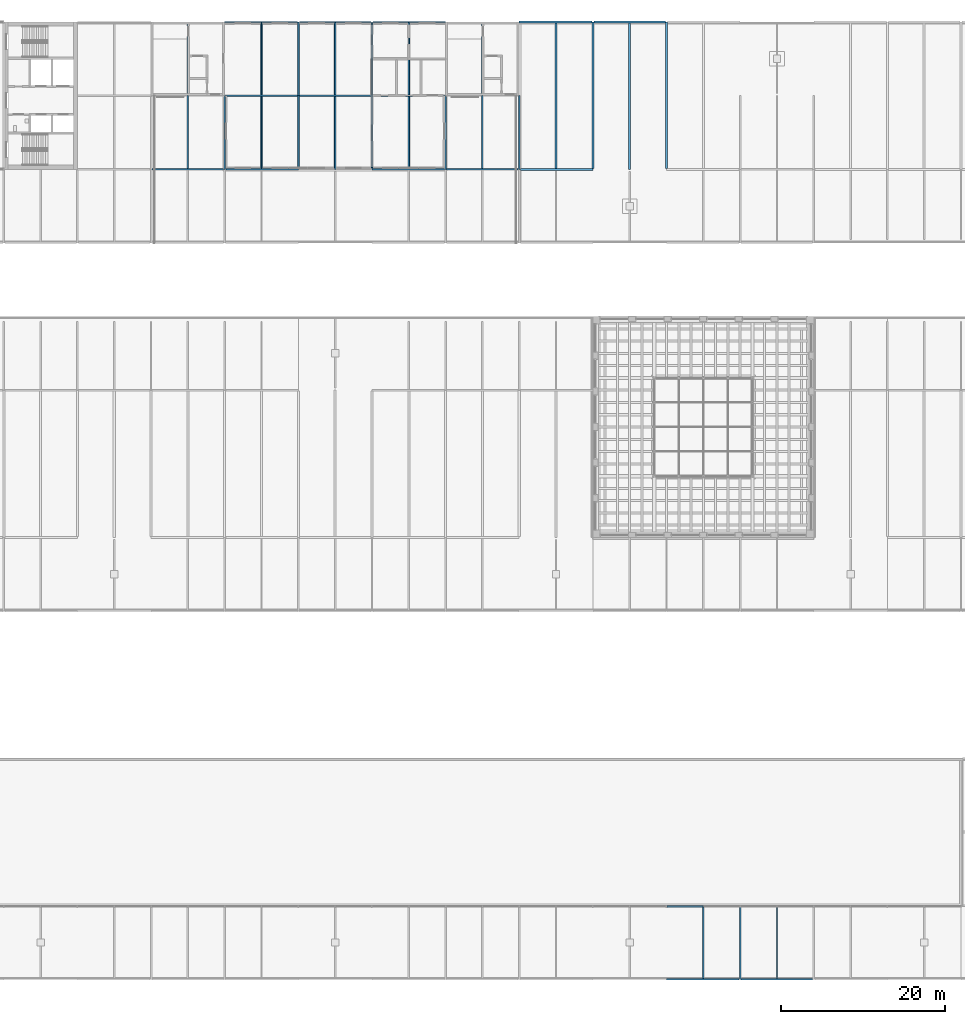
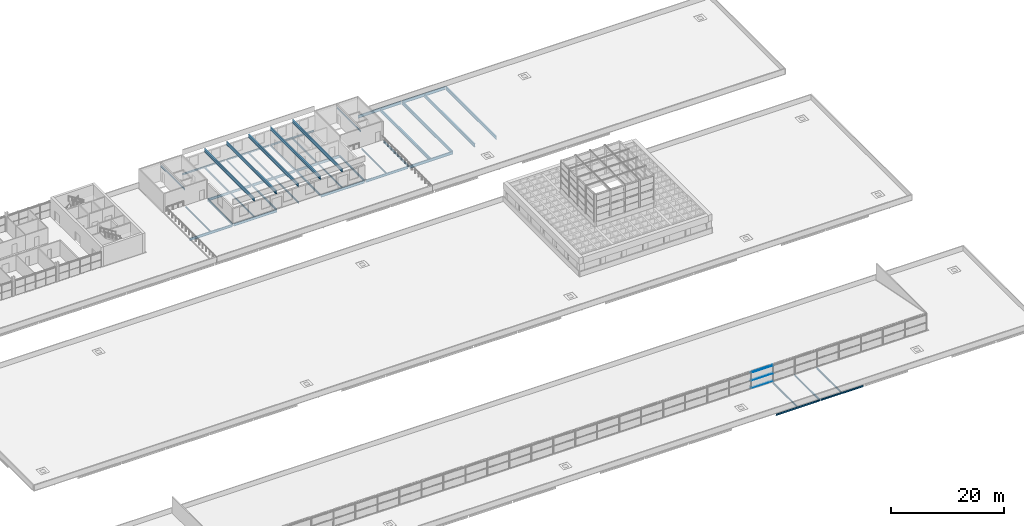
# One storey, part 24 of 50: 44 beams, 3 members, 1 element without a shape of its own.
"""IFC4 building model written with IfcOpenShell, lengths in metres."""

from ifc_helpers import new_model, si_unit, direction, frame, origin, origin_2d, place, context, subcontext, project, spatial, rectangle, i_section, extrude, material, layer, layer_set, material_profile, profile_set, type_object, element, aggregate, save


model = new_model("IFC4")

# Units and contexts
model_context = context("Model", 3, precision=1e-05, world=origin(), true_north=direction((0.0, 1.0)))
body_context = subcontext(model_context, "Body", "Model", "MODEL_VIEW")
ifc_project = project(units=[si_unit("LENGTHUNIT", "METRE"), si_unit("AREAUNIT", "SQUARE_METRE"), si_unit("VOLUMEUNIT", "CUBIC_METRE"), si_unit("PLANEANGLEUNIT", "RADIAN"), si_unit("MASSUNIT", "GRAM", prefix="KILO")], contexts=[model_context])

# Site, building, storey
site_placement = place(None, origin())
site = spatial("IfcSite", under=ifc_project, at=site_placement, CompositionType="ELEMENT")
building_placement = place(site_placement, origin())
building = spatial("IfcBuilding", under=site, at=building_placement, Name="Corbel Yard City Hall", CompositionType="ELEMENT")
storey_placement = place(building_placement, frame((0.0, 0.0, 15.0)))
storey = spatial("IfcBuildingStorey", under=building, at=storey_placement, Name="L03", CompositionType="ELEMENT", Elevation=15.0)

# Beams
ifc_material_1 = material(Name="Steel Grade 300 (300 MPa yield)", Category="steel")
ifc_material_profile_1 = material_profile(ifc_material_1, i_section(OverallWidth=0.1708984375, OverallDepth=0.35205078125, WebThickness=0.0068359375, FlangeThickness=0.009765625, at=origin_2d()), Name="360UB44.7")
ifc_profile_set_1 = profile_set([ifc_material_profile_1], Name="Steel Grade 300 (300 MPa yield)")
beam_type_1 = type_object("IfcBeamType", Name="Beam 360UB44.7", PredefinedType="BEAM", material=ifc_profile_set_1)
for number, where, z_axis, x_axis, name in (
    (1, (72.0, 99.00537109375, -0.325927734375), (0.0, 1.0, 0.0), (-1.0, 0.0, 0.0), "Beam 360UB44.7 SB13 L03roof"),
    (2, (81.0, 99.1044921875, -0.325927734375), (0.0, 1.0, 0.0), (-1.0, 0.0, 0.0), "Beam 360UB44.7 SB13 L03roof"),
):
    element("IfcBeam", number, at=place(storey_placement, frame(where, z_axis=z_axis, x_axis=x_axis)), inside=storey, type_object=beam_type_1, Name=name, PredefinedType="BEAM", context=body_context, shape_type="SweptSolid", body=[
        extrude(i_section(OverallWidth=0.1708984375, OverallDepth=0.35205078125, WebThickness=0.0068359375, FlangeThickness=0.009765625, at=origin_2d()), origin(), (0.0, 0.0, 1.0), 8.89013671875),
    ])
beam_1_placement = place(storey_placement, frame((81.0, 108.00537109375, -0.325927734375), z_axis=(0.0, 1.0, 0.0), x_axis=(-1.0, 0.0, 0.0)))
element("IfcBeam", 3, at=beam_1_placement, inside=storey, type_object=beam_type_1, Name="Beam 360UB44.7 SB13 L03roof", PredefinedType="BEAM", context=body_context, shape_type="SweptSolid", body=[
    extrude(i_section(OverallWidth=0.1708984375, OverallDepth=0.35205078125, WebThickness=0.0068359375, FlangeThickness=0.009765625, at=origin_2d()), origin(), (0.0, 0.0, 1.0), 8.990234375),
])
beam_2_placement = place(storey_placement, frame((90.0, 99.1044921875, -0.325927734375), z_axis=(0.0, 1.0, 0.0), x_axis=(-1.0, 0.0, 0.0)))
element("IfcBeam", 4, at=beam_2_placement, inside=storey, type_object=beam_type_1, Name="Beam 360UB44.7 SB13 L03roof", PredefinedType="BEAM", context=body_context, shape_type="SweptSolid", body=[
    extrude(i_section(OverallWidth=0.1708984375, OverallDepth=0.35205078125, WebThickness=0.0068359375, FlangeThickness=0.009765625, at=origin_2d()), origin(), (0.0, 0.0, 1.0), 8.89013671875),
])
beam_3_placement = place(storey_placement, frame((90.0, 108.00537109375, -0.325927734375), z_axis=(0.0, 1.0, 0.0), x_axis=(-1.0, 0.0, 0.0)))
element("IfcBeam", 5, at=beam_3_placement, inside=storey, type_object=beam_type_1, Name="Beam 360UB44.7 SB13 L03roof", PredefinedType="BEAM", context=body_context, shape_type="SweptSolid", body=[
    extrude(i_section(OverallWidth=0.1708984375, OverallDepth=0.35205078125, WebThickness=0.0068359375, FlangeThickness=0.009765625, at=origin_2d()), origin(), (0.0, 0.0, 1.0), 8.990234375),
])
beam_4_placement = place(storey_placement, frame((99.0, 99.00537109375, -0.325927734375), z_axis=(0.0, 1.0, 0.0), x_axis=(-1.0, 0.0, 0.0)))
element("IfcBeam", 6, at=beam_4_placement, inside=storey, type_object=beam_type_1, Name="Beam 360UB44.7 SB13 L03roof", PredefinedType="BEAM", context=body_context, shape_type="SweptSolid", body=[
    extrude(i_section(OverallWidth=0.1708984375, OverallDepth=0.35205078125, WebThickness=0.0068359375, FlangeThickness=0.009765625, at=origin_2d()), origin(), (0.0, 0.0, 1.0), 8.89013671875),
])
beam_5_placement = place(storey_placement, frame((108.0, 99.00537109375, -0.325927734375), z_axis=(0.0, 1.0, 0.0), x_axis=(-1.0, 0.0, 0.0)))
element("IfcBeam", 7, at=beam_5_placement, inside=storey, type_object=beam_type_1, Name="Beam 360UB44.7 SB13 L03roof", PredefinedType="BEAM", context=body_context, shape_type="SweptSolid", body=[
    extrude(i_section(OverallWidth=0.1708984375, OverallDepth=0.35205078125, WebThickness=0.0068359375, FlangeThickness=0.009765625, at=origin_2d()), origin(), (0.0, 0.0, 1.0), 8.99462890625),
])
beam_6_placement = place(storey_placement, frame((135.0, 0.00439453125, -0.325927734375), z_axis=(0.0, 1.0, 0.0), x_axis=(-1.0, 0.0, 0.0)))
element("IfcBeam", 8, at=beam_6_placement, inside=storey, type_object=beam_type_1, Name="Beam 360UB44.7 SB13 L03roof", PredefinedType="BEAM", context=body_context, shape_type="SweptSolid", body=[
    extrude(i_section(OverallWidth=0.1708984375, OverallDepth=0.35205078125, WebThickness=0.0068359375, FlangeThickness=0.009765625, at=origin_2d()), origin(), (0.0, 0.0, 1.0), 8.99072265625),
])
ifc_material_profile_2 = material_profile(ifc_material_1, i_section(OverallWidth=0.172119140625, OverallDepth=0.35888671875, WebThickness=0.008056640625, FlangeThickness=0.012939453125, at=origin_2d()), Name="360UB56.7")
ifc_profile_set_2 = profile_set([ifc_material_profile_2], Name="Steel Grade 300 (300 MPa yield)")
beam_type_2 = type_object("IfcBeamType", Name="Edge beam 360UB56.7", PredefinedType="BEAM", material=ifc_profile_set_2)
beam_7_placement = place(storey_placement, frame((126.0, 0.0, -0.32958984375), z_axis=(1.0, 0.0, 0.0), x_axis=(0.0, 1.0, 0.0)))
element("IfcBeam", 9, at=beam_7_placement, inside=storey, type_object=beam_type_2, Name="Edge beam 360UB56.7 EB4 L03roof", PredefinedType="BEAM", context=body_context, shape_type="SweptSolid", body=[
    extrude(i_section(OverallWidth=0.172119140625, OverallDepth=0.35888671875, WebThickness=0.008056640625, FlangeThickness=0.012939453125, at=origin_2d()), origin(), (0.0, 0.0, 1.0), 8.873046875),
])
beam_8_placement = place(storey_placement, frame((135.126953125, 0.0, -0.32958984375), z_axis=(1.0, 0.0, 0.0), x_axis=(0.0, 1.0, 0.0)))
element("IfcBeam", 10, at=beam_8_placement, inside=storey, type_object=beam_type_2, Name="Edge beam 360UB56.7 EB4 L03roof", PredefinedType="BEAM", context=body_context, shape_type="SweptSolid", body=[
    extrude(i_section(OverallWidth=0.172119140625, OverallDepth=0.35888671875, WebThickness=0.008056640625, FlangeThickness=0.012939453125, at=origin_2d()), origin(), (0.0, 0.0, 1.0), 8.74609375),
])
beam_9_placement = place(storey_placement, frame((72.0, 117.0, -0.32958984375), z_axis=(1.0, 0.0, 0.0), x_axis=(0.0, 1.0, 0.0)))
element("IfcBeam", 11, at=beam_9_placement, inside=storey, type_object=beam_type_2, Name="Edge beam 360UB56.7 EB4 L03roof", PredefinedType="BEAM", context=body_context, shape_type="SweptSolid", body=[
    extrude(i_section(OverallWidth=0.172119140625, OverallDepth=0.35888671875, WebThickness=0.008056640625, FlangeThickness=0.012939453125, at=origin_2d()), origin(), (0.0, 0.0, 1.0), 8.873046875),
])
beam_10_placement = place(storey_placement, frame((81.126953125, 117.0, -0.32958984375), z_axis=(1.0, 0.0, 0.0), x_axis=(0.0, 1.0, 0.0)))
element("IfcBeam", 12, at=beam_10_placement, inside=storey, type_object=beam_type_2, Name="Edge beam 360UB56.7 EB4 L03roof", PredefinedType="BEAM", context=body_context, shape_type="SweptSolid", body=[
    extrude(i_section(OverallWidth=0.172119140625, OverallDepth=0.35888671875, WebThickness=0.008056640625, FlangeThickness=0.012939453125, at=origin_2d()), origin(), (0.0, 0.0, 1.0), 8.74609375),
])
beam_11_placement = place(storey_placement, frame((90.126953125, 117.0, -0.32958984375), z_axis=(1.0, 0.0, 0.0), x_axis=(0.0, 1.0, 0.0)))
element("IfcBeam", 13, at=beam_11_placement, inside=storey, type_object=beam_type_2, Name="Edge beam 360UB56.7 EB4 L03roof", PredefinedType="BEAM", context=body_context, shape_type="SweptSolid", body=[
    extrude(i_section(OverallWidth=0.172119140625, OverallDepth=0.35888671875, WebThickness=0.008056640625, FlangeThickness=0.012939453125, at=origin_2d()), origin(), (0.0, 0.0, 1.0), 8.873046875),
])
ifc_material_profile_3 = material_profile(ifc_material_1, i_section(OverallWidth=0.22900390625, OverallDepth=0.612060546875, WebThickness=0.011962890625, FlangeThickness=0.01953125, at=origin_2d()), Name="610UB125")
ifc_profile_set_3 = profile_set([ifc_material_profile_3], Name="Steel Grade 300 (300 MPa yield)")
beam_type_3 = type_object("IfcBeamType", Name="Edge beam 610UB125", PredefinedType="BEAM", material=ifc_profile_set_3)
beam_12_placement = place(storey_placement, frame((108.0, 117.0, -0.4560546875), z_axis=(1.0, 0.0, 0.0), x_axis=(0.0, 1.0, 0.0)))
element("IfcBeam", 14, at=beam_12_placement, inside=storey, type_object=beam_type_3, Name="Edge beam 610UB125 EB7 L03roof", PredefinedType="BEAM", context=body_context, shape_type="SweptSolid", body=[
    extrude(i_section(OverallWidth=0.22900390625, OverallDepth=0.612060546875, WebThickness=0.011962890625, FlangeThickness=0.01953125, at=origin_2d()), origin(), (0.0, 0.0, 1.0), 8.873046875),
])
beam_13_placement = place(storey_placement, frame((117.126953125, 117.0, -0.4560546875), z_axis=(1.0, 0.0, 0.0), x_axis=(0.0, 1.0, 0.0)))
element("IfcBeam", 15, at=beam_13_placement, inside=storey, type_object=beam_type_3, Name="Edge beam 610UB125 EB7 L03roof", PredefinedType="BEAM", context=body_context, shape_type="SweptSolid", body=[
    extrude(i_section(OverallWidth=0.22900390625, OverallDepth=0.612060546875, WebThickness=0.011962890625, FlangeThickness=0.01953125, at=origin_2d()), origin(), (0.0, 0.0, 1.0), 8.74609375),
])
ifc_material_profile_4 = material_profile(ifc_material_1, i_section(OverallWidth=0.208984375, OverallDepth=0.528076171875, WebThickness=0.009521484375, FlangeThickness=0.01318359375, at=origin_2d()), Name="530UB82.0")
ifc_profile_set_4 = profile_set([ifc_material_profile_4], Name="Steel Grade 300 (300 MPa yield)")
beam_type_4 = type_object("IfcBeamType", Name="Girder 530UB82.0", PredefinedType="BEAM", material=ifc_profile_set_4)
beam_14_placement = place(storey_placement, frame((63.1298828125, 99.0, -0.4140625), z_axis=(1.0, 0.0, 0.0), x_axis=(0.0, 1.0, 0.0)))
element("IfcBeam", 16, at=beam_14_placement, inside=storey, type_object=beam_type_4, Name="Girder 530UB82.0 GB3 L03roof", PredefinedType="BEAM", context=body_context, shape_type="SweptSolid", body=[
    extrude(i_section(OverallWidth=0.208984375, OverallDepth=0.528076171875, WebThickness=0.009521484375, FlangeThickness=0.01318359375, at=origin_2d()), origin(), (0.0, 0.0, 1.0), 8.740234375),
])
for number, where, z_axis, x_axis, name in (
    (17, (72.1298828125, 99.0, -0.4140625), (1.0, 0.0, 0.0), (0.0, 1.0, 0.0), "Girder 530UB82.0 GB3 L03roof"),
    (18, (90.0, 99.0, -0.4140625), (1.0, 0.0, 0.0), (0.0, 1.0, 0.0), "Girder 530UB82.0 GB3 L03roof"),
):
    element("IfcBeam", number, at=place(storey_placement, frame(where, z_axis=z_axis, x_axis=x_axis)), inside=storey, type_object=beam_type_4, Name=name, PredefinedType="BEAM", context=body_context, shape_type="SweptSolid", body=[
        extrude(i_section(OverallWidth=0.208984375, OverallDepth=0.528076171875, WebThickness=0.009521484375, FlangeThickness=0.01318359375, at=origin_2d()), origin(), (0.0, 0.0, 1.0), 8.8701171875),
    ])
beam_15_placement = place(storey_placement, frame((99.1298828125, 99.0, -0.4140625), z_axis=(1.0, 0.0, 0.0), x_axis=(0.0, 1.0, 0.0)))
element("IfcBeam", 19, at=beam_15_placement, inside=storey, type_object=beam_type_4, Name="Girder 530UB82.0 GB3 L03roof", PredefinedType="BEAM", context=body_context, shape_type="SweptSolid", body=[
    extrude(i_section(OverallWidth=0.208984375, OverallDepth=0.528076171875, WebThickness=0.009521484375, FlangeThickness=0.01318359375, at=origin_2d()), origin(), (0.0, 0.0, 1.0), 8.740234375),
])
beam_16_placement = place(storey_placement, frame((72.0, 108.0, -0.4140625), z_axis=(1.0, 0.0, 0.0), x_axis=(0.0, 1.0, 0.0)))
element("IfcBeam", 20, at=beam_16_placement, inside=storey, type_object=beam_type_4, Name="Girder 530UB82.0 GB3 L03roof", PredefinedType="BEAM", context=body_context, shape_type="SweptSolid", body=[
    extrude(i_section(OverallWidth=0.208984375, OverallDepth=0.528076171875, WebThickness=0.009521484375, FlangeThickness=0.01318359375, at=origin_2d()), origin(), (0.0, 0.0, 1.0), 8.8701171875),
])
beam_17_placement = place(storey_placement, frame((81.1298828125, 108.0, -0.4140625), z_axis=(1.0, 0.0, 0.0), x_axis=(0.0, 1.0, 0.0)))
element("IfcBeam", 21, at=beam_17_placement, inside=storey, type_object=beam_type_4, Name="Girder 530UB82.0 GB3 L03roof", PredefinedType="BEAM", context=body_context, shape_type="SweptSolid", body=[
    extrude(i_section(OverallWidth=0.208984375, OverallDepth=0.528076171875, WebThickness=0.009521484375, FlangeThickness=0.01318359375, at=origin_2d()), origin(), (0.0, 0.0, 1.0), 8.740234375),
])
beam_18_placement = place(storey_placement, frame((90.1298828125, 108.0, -0.4140625), z_axis=(1.0, 0.0, 0.0), x_axis=(0.0, 1.0, 0.0)))
element("IfcBeam", 22, at=beam_18_placement, inside=storey, type_object=beam_type_4, Name="Girder 530UB82.0 GB3 L03roof", PredefinedType="BEAM", context=body_context, shape_type="SweptSolid", body=[
    extrude(i_section(OverallWidth=0.208984375, OverallDepth=0.528076171875, WebThickness=0.009521484375, FlangeThickness=0.01318359375, at=origin_2d()), origin(), (0.0, 0.0, 1.0), 8.8701171875),
])
ifc_material_profile_5 = material_profile(ifc_material_1, i_section(OverallWidth=0.22900390625, OverallDepth=0.612060546875, WebThickness=0.011962890625, FlangeThickness=0.01953125, at=origin_2d()), Name="610UB125")
ifc_profile_set_5 = profile_set([ifc_material_profile_5], Name="Steel Grade 300 (300 MPa yield)")
beam_type_5 = type_object("IfcBeamType", Name="Girder 610UB125", PredefinedType="BEAM", material=ifc_profile_set_5)
beam_19_placement = place(storey_placement, frame((108.1298828125, 99.0, -0.4560546875), z_axis=(1.0, 0.0, 0.0), x_axis=(0.0, 1.0, 0.0)))
element("IfcBeam", 23, at=beam_19_placement, inside=storey, type_object=beam_type_5, Name="Girder 610UB125 GB1 L03roof", PredefinedType="BEAM", context=body_context, shape_type="SweptSolid", body=[
    extrude(i_section(OverallWidth=0.22900390625, OverallDepth=0.612060546875, WebThickness=0.011962890625, FlangeThickness=0.01953125, at=origin_2d()), origin(), (0.0, 0.0, 1.0), 8.8701171875),
])
ifc_material_2 = material(Name="Steel Grade 350", Category="steel")
ifc_material_profile_6 = material_profile(ifc_material_2, i_section(OverallWidth=0.25, OverallDepth=0.699951171875, WebThickness=0.010009765625, FlangeThickness=0.02001953125, at=origin_2d()), Name="700WB130")
ifc_profile_set_6 = profile_set([ifc_material_profile_6], Name="Steel Grade 350")
beam_type_6 = type_object("IfcBeamType", Name="Long-span beam 700WB130", PredefinedType="BEAM", material=ifc_profile_set_6)
for number, where, z_axis, x_axis, name in (
    (24, (117.0, 99.114501953125, -0.5), (0.0, 1.0, 0.0), (-1.0, 0.0, 0.0), "Long-span beam 700WB130 SB18 L03roof"),
    (25, (126.0, 99.114501953125, -0.5), (0.0, 1.0, 0.0), (-1.0, 0.0, 0.0), "Long-span beam 700WB130 SB18 L03roof"),
):
    element("IfcBeam", number, at=place(storey_placement, frame(where, z_axis=z_axis, x_axis=x_axis)), inside=storey, type_object=beam_type_6, Name=name, PredefinedType="BEAM", context=body_context, shape_type="SweptSolid", body=[
        extrude(i_section(OverallWidth=0.25, OverallDepth=0.699951171875, WebThickness=0.010009765625, FlangeThickness=0.02001953125, at=origin_2d()), origin(), (0.0, 0.0, 1.0), 17.881103515625),
    ])
ifc_material_profile_7 = material_profile(ifc_material_2, i_section(OverallWidth=0.25, OverallDepth=0.699951171875, WebThickness=0.010009765625, FlangeThickness=0.02001953125, at=origin_2d()), Name="700WB130")
ifc_profile_set_7 = profile_set([ifc_material_profile_7], Name="Steel Grade 350")
beam_type_7 = type_object("IfcBeamType", Name="Long-span secondary beam 700WB130", PredefinedType="JOIST", material=ifc_profile_set_7)
beam_20_placement = place(storey_placement, frame((112.5, 99.114501953125, -0.5), z_axis=(0.0, 1.0, 0.0), x_axis=(-1.0, 0.0, 0.0)))
element("IfcBeam", 26, at=beam_20_placement, inside=storey, type_object=beam_type_7, Name="Long-span secondary beam 700WB130 SB16 L03roof", PredefinedType="JOIST", context=body_context, shape_type="SweptSolid", body=[
    extrude(i_section(OverallWidth=0.25, OverallDepth=0.699951171875, WebThickness=0.010009765625, FlangeThickness=0.02001953125, at=origin_2d()), origin(), (0.0, 0.0, 1.0), 17.77099609375),
])
beam_21_placement = place(storey_placement, frame((121.5, 99.0, -0.5), z_axis=(0.0, 1.0, 0.0), x_axis=(-1.0, 0.0, 0.0)))
element("IfcBeam", 27, at=beam_21_placement, inside=storey, type_object=beam_type_7, Name="Long-span secondary beam 700WB130 SB16 L03roof", PredefinedType="JOIST", context=body_context, shape_type="SweptSolid", body=[
    extrude(i_section(OverallWidth=0.25, OverallDepth=0.699951171875, WebThickness=0.010009765625, FlangeThickness=0.02001953125, at=origin_2d()), origin(), (0.0, 0.0, 1.0), 17.885498046875),
])
ifc_material_profile_8 = material_profile(ifc_material_2, i_section(OverallWidth=0.25, OverallDepth=0.69189453125, WebThickness=0.010009765625, FlangeThickness=0.01611328125, at=origin_2d()), Name="700WB115")
ifc_profile_set_8 = profile_set([ifc_material_profile_8], Name="Steel Grade 350")
beam_type_8 = type_object("IfcBeamType", Name="PB1", PredefinedType="BEAM", material=ifc_profile_set_8)
for number, where, z_axis, x_axis, name in (
    (28, (76.5, 99.14990234375, 3.446044921875), (0.0, 1.0, 0.0), (-1.0, 0.0, 0.0), "Pavilion roof beam 700WB115"),
    (29, (81.0, 99.14990234375, 3.446044921875), (0.0, 1.0, 0.0), (-1.0, 0.0, 0.0), "Pavilion roof beam 700WB115"),
    (30, (85.5, 99.14990234375, 3.446044921875), (0.0, 1.0, 0.0), (-1.0, 0.0, 0.0), "Pavilion roof beam 700WB115"),
    (31, (90.0, 99.14990234375, 3.446044921875), (0.0, 1.0, 0.0), (-1.0, 0.0, 0.0), "Pavilion roof beam 700WB115"),
    (32, (94.5, 99.14990234375, 3.446044921875), (0.0, 1.0, 0.0), (-1.0, 0.0, 0.0), "Pavilion roof beam 700WB115"),
):
    element("IfcBeam", number, at=place(storey_placement, frame(where, z_axis=z_axis, x_axis=x_axis)), inside=storey, type_object=beam_type_8, Name=name, PredefinedType="BEAM", context=body_context, shape_type="SweptSolid", body=[
        extrude(i_section(OverallWidth=0.25, OverallDepth=0.69189453125, WebThickness=0.010009765625, FlangeThickness=0.01611328125, at=origin_2d()), origin(), (0.0, 0.0, 1.0), 17.7001953125),
    ])
ifc_material_profile_9 = material_profile(ifc_material_1, i_section(OverallWidth=0.1708984375, OverallDepth=0.35205078125, WebThickness=0.0068359375, FlangeThickness=0.009765625, at=origin_2d()), Name="360UB44.7")
ifc_profile_set_9 = profile_set([ifc_material_profile_9], Name="Steel Grade 300 (300 MPa yield)")
beam_type_9 = type_object("IfcBeamType", Name="Secondary beam 360UB44.7", PredefinedType="JOIST", material=ifc_profile_set_9)
beam_22_placement = place(storey_placement, frame((67.5, 99.1044921875, -0.325927734375), z_axis=(0.0, 1.0, 0.0), x_axis=(-1.0, 0.0, 0.0)))
element("IfcBeam", 33, at=beam_22_placement, inside=storey, type_object=beam_type_9, Name="Secondary beam 360UB44.7 SB11 L03roof", PredefinedType="JOIST", context=body_context, shape_type="SweptSolid", body=[
    extrude(i_section(OverallWidth=0.1708984375, OverallDepth=0.35205078125, WebThickness=0.0068359375, FlangeThickness=0.009765625, at=origin_2d()), origin(), (0.0, 0.0, 1.0), 8.8955078125),
])
beam_23_placement = place(storey_placement, frame((76.5, 99.1044921875, -0.325927734375), z_axis=(0.0, 1.0, 0.0), x_axis=(-1.0, 0.0, 0.0)))
element("IfcBeam", 34, at=beam_23_placement, inside=storey, type_object=beam_type_9, Name="Secondary beam 360UB44.7 SB11 L03roof", PredefinedType="JOIST", context=body_context, shape_type="SweptSolid", body=[
    extrude(i_section(OverallWidth=0.1708984375, OverallDepth=0.35205078125, WebThickness=0.0068359375, FlangeThickness=0.009765625, at=origin_2d()), origin(), (0.0, 0.0, 1.0), 8.791015625),
])
beam_24_placement = place(storey_placement, frame((76.5, 108.1044921875, -0.325927734375), z_axis=(0.0, 1.0, 0.0), x_axis=(-1.0, 0.0, 0.0)))
element("IfcBeam", 35, at=beam_24_placement, inside=storey, type_object=beam_type_9, Name="Secondary beam 360UB44.7 SB11 L03roof", PredefinedType="JOIST", context=body_context, shape_type="SweptSolid", body=[
    extrude(i_section(OverallWidth=0.1708984375, OverallDepth=0.35205078125, WebThickness=0.0068359375, FlangeThickness=0.009765625, at=origin_2d()), origin(), (0.0, 0.0, 1.0), 8.8095703125),
])
beam_25_placement = place(storey_placement, frame((85.5, 99.0, -0.325927734375), z_axis=(0.0, 1.0, 0.0), x_axis=(-1.0, 0.0, 0.0)))
element("IfcBeam", 36, at=beam_25_placement, inside=storey, type_object=beam_type_9, Name="Secondary beam 360UB44.7 SB11 L03roof", PredefinedType="JOIST", context=body_context, shape_type="SweptSolid", body=[
    extrude(i_section(OverallWidth=0.1708984375, OverallDepth=0.35205078125, WebThickness=0.0068359375, FlangeThickness=0.009765625, at=origin_2d()), origin(), (0.0, 0.0, 1.0), 8.8955078125),
])
beam_26_placement = place(storey_placement, frame((85.5, 108.1044921875, -0.325927734375), z_axis=(0.0, 1.0, 0.0), x_axis=(-1.0, 0.0, 0.0)))
element("IfcBeam", 37, at=beam_26_placement, inside=storey, type_object=beam_type_9, Name="Secondary beam 360UB44.7 SB11 L03roof", PredefinedType="JOIST", context=body_context, shape_type="SweptSolid", body=[
    extrude(i_section(OverallWidth=0.1708984375, OverallDepth=0.35205078125, WebThickness=0.0068359375, FlangeThickness=0.009765625, at=origin_2d()), origin(), (0.0, 0.0, 1.0), 8.8095703125),
])
beam_27_placement = place(storey_placement, frame((94.5, 99.1044921875, -0.325927734375), z_axis=(0.0, 1.0, 0.0), x_axis=(-1.0, 0.0, 0.0)))
element("IfcBeam", 38, at=beam_27_placement, inside=storey, type_object=beam_type_9, Name="Secondary beam 360UB44.7 SB11 L03roof", PredefinedType="JOIST", context=body_context, shape_type="SweptSolid", body=[
    extrude(i_section(OverallWidth=0.1708984375, OverallDepth=0.35205078125, WebThickness=0.0068359375, FlangeThickness=0.009765625, at=origin_2d()), origin(), (0.0, 0.0, 1.0), 8.791015625),
])
beam_28_placement = place(storey_placement, frame((94.5, 108.1044921875, -0.325927734375), z_axis=(0.0, 1.0, 0.0), x_axis=(-1.0, 0.0, 0.0)))
element("IfcBeam", 39, at=beam_28_placement, inside=storey, type_object=beam_type_9, Name="Secondary beam 360UB44.7 SB11 L03roof", PredefinedType="JOIST", context=body_context, shape_type="SweptSolid", body=[
    extrude(i_section(OverallWidth=0.1708984375, OverallDepth=0.35205078125, WebThickness=0.0068359375, FlangeThickness=0.009765625, at=origin_2d()), origin(), (0.0, 0.0, 1.0), 8.8095703125),
])
beam_29_placement = place(storey_placement, frame((103.5, 99.1044921875, -0.325927734375), z_axis=(0.0, 1.0, 0.0), x_axis=(-1.0, 0.0, 0.0)))
element("IfcBeam", 40, at=beam_29_placement, inside=storey, type_object=beam_type_9, Name="Secondary beam 360UB44.7 SB11 L03roof", PredefinedType="JOIST", context=body_context, shape_type="SweptSolid", body=[
    extrude(i_section(OverallWidth=0.1708984375, OverallDepth=0.35205078125, WebThickness=0.0068359375, FlangeThickness=0.009765625, at=origin_2d()), origin(), (0.0, 0.0, 1.0), 8.8955078125),
])
for number, where, z_axis, x_axis, name in (
    (41, (130.5, 0.0859375, -0.325927734375), (0.0, 1.0, 0.0), (-1.0, 0.0, 0.0), "Secondary beam 360UB44.7 SB11 L03roof"),
    (42, (139.5, 0.0859375, -0.325927734375), (0.0, 1.0, 0.0), (-1.0, 0.0, 0.0), "Secondary beam 360UB44.7 SB11 L03roof"),
):
    element("IfcBeam", number, at=place(storey_placement, frame(where, z_axis=z_axis, x_axis=x_axis)), inside=storey, type_object=beam_type_9, Name=name, PredefinedType="JOIST", context=body_context, shape_type="SweptSolid", body=[
        extrude(i_section(OverallWidth=0.1708984375, OverallDepth=0.35205078125, WebThickness=0.0068359375, FlangeThickness=0.009765625, at=origin_2d()), origin(), (0.0, 0.0, 1.0), 8.828125),
    ])
for number, where, z_axis, x_axis, name in (
    (43, (67.5, 108.25, 3.27392578125), (0.0, 1.0, 0.0), (-1.0, 0.0, 0.0), "Core roof beam 360UB44.7 SB11 PC-N1"),
    (44, (103.5, 108.25, 3.27392578125), (0.0, 1.0, 0.0), (-1.0, 0.0, 0.0), "Core roof beam 360UB44.7 SB11 PC-N2"),
):
    element("IfcBeam", number, at=place(storey_placement, frame(where, z_axis=z_axis, x_axis=x_axis)), inside=storey, type_object=beam_type_9, Name=name, PredefinedType="JOIST", context=body_context, shape_type="SweptSolid", body=[
        extrude(i_section(OverallWidth=0.1708984375, OverallDepth=0.35205078125, WebThickness=0.0068359375, FlangeThickness=0.009765625, at=origin_2d()), origin(), (0.0, 0.0, 1.0), 8.5),
    ])

# Curtain wall, members
ifc_material_3 = material(Name="Aluminium extrusion", Category="aluminium")
ifc_layer = layer(ifc_material_3, 0.219970703125)
ifc_layer_set = layer_set([ifc_layer], Name="Aluminium extrusion")
curtain_wall_type = type_object("IfcCurtainWallType", Name="CW5", PredefinedType="USERDEFINED", material=ifc_layer_set)
curtain_wall_placement = place(storey_placement, origin())
curtain_wall = element("IfcCurtainWall", 45, at=curtain_wall_placement, inside=storey, type_object=curtain_wall_type, Name="Hall south clerestory curtain wall", ObjectType="CURTAIN WALL", PredefinedType="USERDEFINED")
ifc_material_profile_10 = material_profile(ifc_material_3, rectangle(XDim=0.179931640625, YDim=0.06494140625, at=origin_2d()), Name="180x65")
ifc_profile_set_10 = profile_set([ifc_material_profile_10], Name="Aluminium extrusion")
member_type = type_object("IfcMemberType", Name="TR5", PredefinedType="USERDEFINED", material=ifc_profile_set_10)
member_1_placement = place(storey_placement, frame((126.06494140625, 8.889892578125, 0.032470703125), z_axis=(1.0, 0.0, 0.0), x_axis=(0.0, 1.0, 0.0)))
member_1 = element("IfcMember", 46, at=member_1_placement, type_object=member_type, Name="CW5 transom 1.1", ObjectType="TRANSOM", PredefinedType="USERDEFINED", context=body_context, shape_type="SweptSolid", body=[
    extrude(rectangle(XDim=0.179931640625, YDim=0.06494140625, at=origin_2d()), origin(), (0.0, 0.0, 1.0), 4.402587890625),
])
member_2_placement = place(storey_placement, frame((126.06494140625, 8.889892578125, 1.72509765625), z_axis=(1.0, 0.0, 0.0), x_axis=(0.0, 1.0, 0.0)))
member_2 = element("IfcMember", 47, at=member_2_placement, type_object=member_type, Name="CW5 transom 1.2", ObjectType="TRANSOM", PredefinedType="USERDEFINED", context=body_context, shape_type="SweptSolid", body=[
    extrude(rectangle(XDim=0.179931640625, YDim=0.06494140625, at=origin_2d()), origin(), (0.0, 0.0, 1.0), 4.402587890625),
])
member_3_placement = place(storey_placement, frame((126.06494140625, 8.889892578125, 3.41748046875), z_axis=(1.0, 0.0, 0.0), x_axis=(0.0, 1.0, 0.0)))
member_3 = element("IfcMember", 48, at=member_3_placement, type_object=member_type, Name="CW5 transom 1.3", ObjectType="TRANSOM", PredefinedType="USERDEFINED", context=body_context, shape_type="SweptSolid", body=[
    extrude(rectangle(XDim=0.179931640625, YDim=0.06494140625, at=origin_2d()), origin(), (0.0, 0.0, 1.0), 4.402587890625),
])
aggregate(curtain_wall, [member_1, member_2, member_3])

save(model, "model.ifc")
